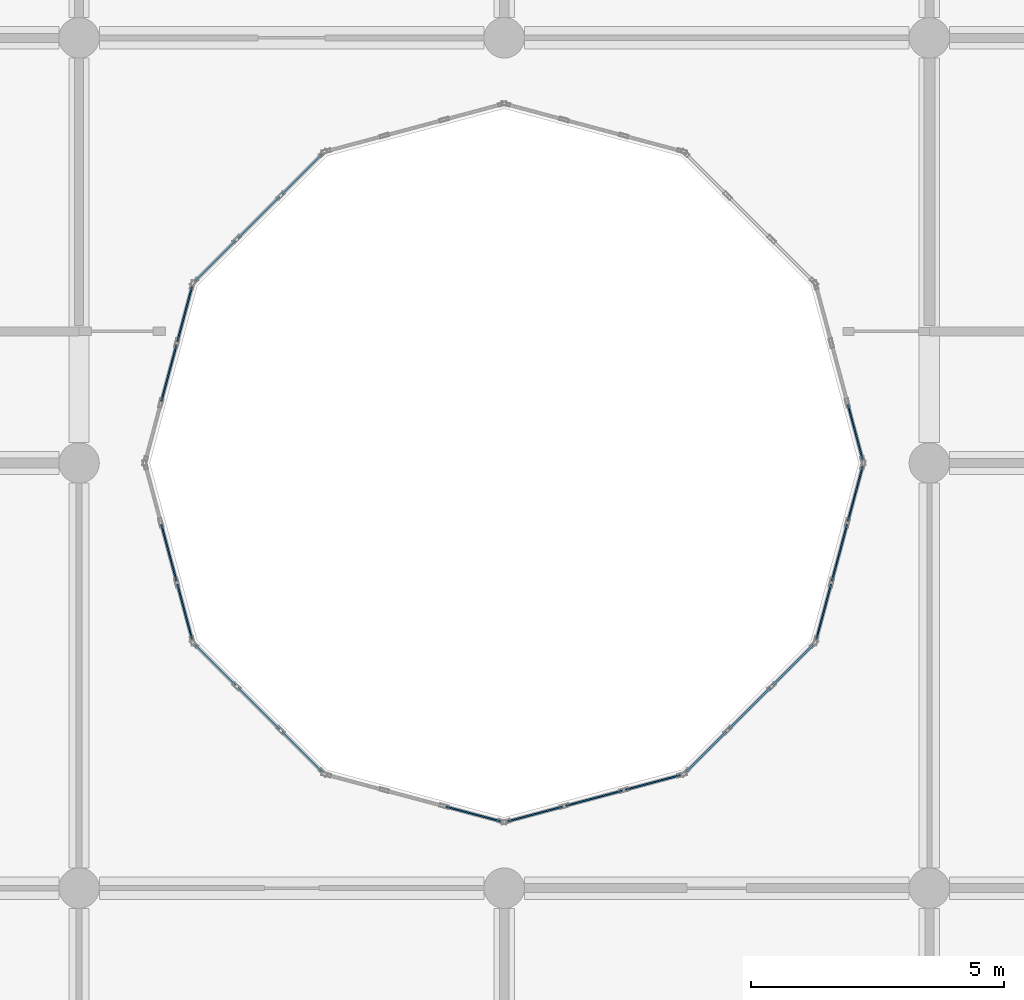
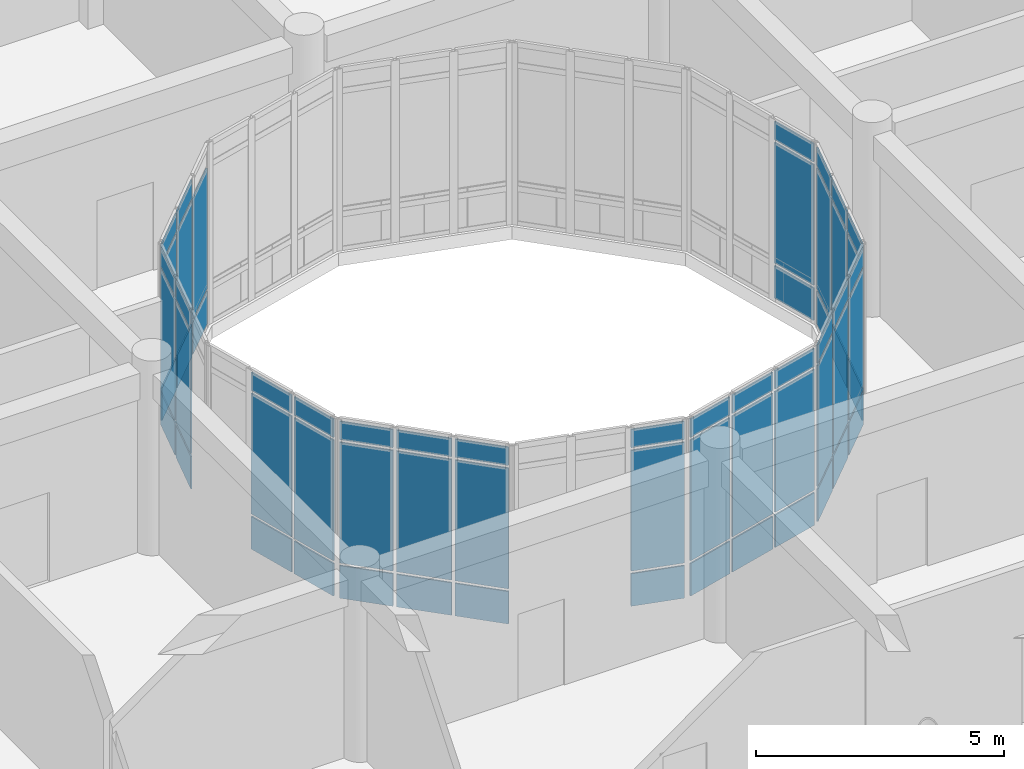
# One storey, part 73 of 138: 62 plates, 9 elements without a shape of their own.
"""IFC4 building model written with IfcOpenShell, lengths in metres."""

import ifcopenshell
import ifcopenshell.guid

model = None  # the IFC model being written
_history = None  # IfcOwnerHistory: only IFC2X3 demands one
_inside = {}  # id of a spatial element -> (the spatial element, [elements in it])
_under = {}  # id of a project, library or spatial element -> (it, [spatial elements below it])
_declared = {}  # id of a project -> (the project, [libraries it declares])
_typed = {}  # id of a type object -> (the type object, [elements of that type])
_made_of = {}  # id of a material, layer set ... -> (it, [elements and type objects made of it])


def new_model(schema):
    """Start an empty IFC model of exactly this schema.

    Asked for "IFC4X3", IfcOpenShell would pick the latest addendum, in which some entities
    have other attributes; the version numbers below select the first issue.
    IFC2X3 requires an IfcOwnerHistory on every rooted entity: one is made here for all.
    """
    global model, _history
    if schema == "IFC4X3":
        model = ifcopenshell.file(schema_version=(4, 3, 0, 0))
    else:
        model = ifcopenshell.file(schema=schema)
    _inside.clear()
    _under.clear()
    _declared.clear()
    _typed.clear()
    _made_of.clear()
    _history = None
    if model.schema == "IFC2X3":
        org = make("IfcOrganization", Name="unknown")
        user = make(
            "IfcPersonAndOrganization",
            ThePerson=make("IfcPerson", FamilyName="unknown"),
            TheOrganization=org,
        )
        app = make(
            "IfcApplication",
            ApplicationDeveloper=org,
            Version="unknown",
            ApplicationFullName="unknown",
            ApplicationIdentifier="unknown",
        )
        _history = make(
            "IfcOwnerHistory",
            OwningUser=user,
            OwningApplication=app,
            ChangeAction="ADDED",
            CreationDate=0,
        )
    return model


def make(cls, **values):
    """One entity of the class cls with the attributes given. An attribute that is None is left unset."""
    return model.create_entity(
        cls, **{name: value for name, value in values.items() if value is not None}
    )


def rooted(cls, **values):
    """An entity with a GlobalId (a new one), such as an element, a storey or a relation."""
    return make(cls, GlobalId=ifcopenshell.guid.new(), OwnerHistory=_history, **values)


def si_unit(unit_type, name, prefix=None):
    """IfcSIUnit, for example si_unit("LENGTHUNIT", "METRE", prefix="MILLI")."""
    return make("IfcSIUnit", UnitType=unit_type, Prefix=prefix, Name=name)


def assignment(units):
    """IfcUnitAssignment: the units of a project."""
    return None if units is None else make("IfcUnitAssignment", Units=units)


def point(xyz):
    """IfcCartesianPoint."""
    return None if xyz is None else make("IfcCartesianPoint", Coordinates=xyz)


def direction(xyz):
    """IfcDirection."""
    return None if xyz is None else make("IfcDirection", DirectionRatios=xyz)


def frame(location, z_axis=None, x_axis=None):
    """IfcAxis2Placement3D, a coordinate frame: its origin and axes. An axis left out is left unset."""
    return make(
        "IfcAxis2Placement3D",
        Location=point(location),
        Axis=direction(z_axis),
        RefDirection=direction(x_axis),
    )


def frame_2d(location, x_axis=None):
    """IfcAxis2Placement2D, a coordinate frame in the plane: its origin and x axis."""
    return make(
        "IfcAxis2Placement2D", Location=point(location), RefDirection=direction(x_axis)
    )


def origin():
    """The frame at (0, 0, 0) with its axes left unset."""
    return frame((0.0, 0.0, 0.0))


def origin_2d():
    """The frame at (0, 0) in the plane with its x axis left unset."""
    return frame_2d((0.0, 0.0))


def place(relative_to, where):
    """IfcLocalPlacement: puts the frame where relative to a parent placement (None: the world)."""
    return make(
        "IfcLocalPlacement", PlacementRelTo=relative_to, RelativePlacement=where
    )


def context(
    kind, dimensions, precision=None, world=None, true_north=None, identifier=None
):
    """IfcGeometricRepresentationContext, for example the 3D "Model" context."""
    return make(
        "IfcGeometricRepresentationContext",
        ContextIdentifier=identifier,
        ContextType=kind,
        CoordinateSpaceDimension=dimensions,
        Precision=precision,
        WorldCoordinateSystem=world,
        TrueNorth=true_north,
    )


def subcontext(parent, identifier, kind, view, scale=None):
    """IfcGeometricRepresentationSubContext, for example "Body" below "Model"."""
    return make(
        "IfcGeometricRepresentationSubContext",
        ContextIdentifier=identifier,
        ContextType=kind,
        ParentContext=parent,
        TargetScale=scale,
        TargetView=view,
    )


def project(units=None, contexts=None):
    """IfcProject with its units and contexts."""
    return rooted(
        "IfcProject",
        Name="project",
        RepresentationContexts=contexts,
        UnitsInContext=assignment(units),
    )


def spatial(cls, under=None, at=None, **own):
    """A site, building, storey or space (cls), placed at a placement, below another one or the project."""
    s = rooted(cls, ObjectPlacement=at, **own)
    if under is not None:
        _under.setdefault(under.id(), (under, []))[1].append(s)
    return s


def profile(cls, at=None, kind="AREA", **sizes):
    """A parametric profile (cls). Its sizes go by their IFC names, for example OverallWidth=200.0."""
    return make(cls, ProfileType=kind, Position=at, **sizes)


def rectangle(**sizes):
    """IfcRectangleProfileDef."""
    return profile("IfcRectangleProfileDef", **sizes)


def extrude(swept, where, along, depth):
    """IfcExtrudedAreaSolid: the profile swept, set in the frame where, extruded along a direction by depth."""
    return make(
        "IfcExtrudedAreaSolid",
        SweptArea=swept,
        Position=where,
        ExtrudedDirection=direction(along),
        Depth=depth,
    )


def shape(context_of_items, identifier, shape_type, items):
    """IfcShapeRepresentation: the items that make up one representation, for example the "Body"."""
    return make(
        "IfcShapeRepresentation",
        ContextOfItems=context_of_items,
        RepresentationIdentifier=identifier,
        RepresentationType=shape_type,
        Items=items,
    )


def material(Name=None, Category=None):
    """IfcMaterial."""
    return make("IfcMaterial", Name=Name, Category=Category)


def layer(
    of_material, thickness, ventilated=None, Name=None, Category=None, Priority=None
):
    """IfcMaterialLayer: one layer of a wall or slab, of a material (None: an air gap)."""
    return make(
        "IfcMaterialLayer",
        Material=of_material,
        LayerThickness=thickness,
        IsVentilated=ventilated,
        Name=Name,
        Category=Category,
        Priority=Priority,
    )


def layer_set(layers, Name=None):
    """IfcMaterialLayerSet."""
    return make("IfcMaterialLayerSet", MaterialLayers=layers, LayerSetName=Name)


def made_of(thing, what):
    """Note that an element or type object is made of a material, layer set ...; save() writes the relation."""
    if what is not None:
        _made_of.setdefault(what.id(), (what, []))[1].append(thing)
    return thing


def type_object(cls, material=None, **own):
    """A type object (cls), such as IfcWallType, which elements share."""
    return made_of(rooted(cls, **own), material)


def element(
    cls,
    number,
    at=None,
    inside=None,
    cuts=None,
    type_object=None,
    material=None,
    context=None,
    identifier="Body",
    shape_type=None,
    held_by="IfcProductDefinitionShape",
    body=None,
    shapes=None,
    **own,
):
    """One element of the class cls, such as IfcWall. Its Tag is "e" and its number.

    at: its placement. inside: the storey or other place that contains it. cuts: it is an
    opening in that element (IfcRelVoidsElement). A single representation is given by context,
    identifier, shape_type and body (its items); several are given by shapes. held_by: the class
    of the entity that holds the representations. save() writes the other relations.
    """
    e = rooted(cls, Tag="e%d" % number, ObjectPlacement=at, **own)
    if body is not None:
        shapes = [shape(context, identifier, shape_type, body)]
    if shapes is not None:
        e.Representation = make(held_by, Representations=shapes)
    if inside is not None:
        _inside.setdefault(inside.id(), (inside, []))[1].append(e)
    if cuts is not None:
        rooted(
            "IfcRelVoidsElement", RelatingBuildingElement=cuts, RelatedOpeningElement=e
        )
    if type_object is not None:
        _typed.setdefault(type_object.id(), (type_object, []))[1].append(e)
    return made_of(e, material)


def aggregate(whole, parts):
    """IfcRelAggregates: a whole, such as a stair, and the parts it consists of."""
    return rooted("IfcRelAggregates", RelatingObject=whole, RelatedObjects=parts)


def save(model, path):
    """Write the relations noted so far, then the file.

    IfcRelAggregates (storeys below a building ...), IfcRelContainedInSpatialStructure (elements
    in a storey), IfcRelDefinesByType, IfcRelAssociatesMaterial and IfcRelDeclares: one each for
    every whole, place, type object, material and project.
    """
    for whole, parts in _under.values():
        aggregate(whole, parts)
    for where, things in _inside.values():
        rooted(
            "IfcRelContainedInSpatialStructure",
            RelatedElements=things,
            RelatingStructure=where,
        )
    for kind, things in _typed.values():
        rooted("IfcRelDefinesByType", RelatedObjects=things, RelatingType=kind)
    for what, things in _made_of.values():
        rooted("IfcRelAssociatesMaterial", RelatedObjects=things, RelatingMaterial=what)
    for by, libraries in _declared.values():
        rooted("IfcRelDeclares", RelatingContext=by, RelatedDefinitions=libraries)
    model.write(path)


model = new_model("IFC4")

# Units and contexts
model_context = context("Model", 3, precision=1e-05, world=origin(), true_north=direction((0.0, 1.0)))
body_context = subcontext(model_context, "Body", "Model", "MODEL_VIEW")
ifc_project = project(units=[si_unit("LENGTHUNIT", "METRE"), si_unit("AREAUNIT", "SQUARE_METRE"), si_unit("VOLUMEUNIT", "CUBIC_METRE"), si_unit("PLANEANGLEUNIT", "RADIAN"), si_unit("MASSUNIT", "GRAM", prefix="KILO")], contexts=[model_context])

# Site, building, storey
site_placement = place(None, origin())
site = spatial("IfcSite", under=ifc_project, at=site_placement, CompositionType="ELEMENT")
building_placement = place(site_placement, origin())
building = spatial("IfcBuilding", under=site, at=building_placement, Name="Bramfleet General Hospital", CompositionType="ELEMENT")
storey_placement = place(building_placement, origin())
storey = spatial("IfcBuildingStorey", under=building, at=storey_placement, Name="L00", CompositionType="ELEMENT", Elevation=0.0)

# Curtain wall, plates
ifc_material_1 = material(Name="Anodised aluminium and low-E triple glazing", Category="aluminium")
ifc_layer_1 = layer(ifc_material_1, 0.179931640625, Name="CWT-CW-17")
ifc_layer_set_1 = layer_set([ifc_layer_1], Name="Anodised aluminium and low-E triple glazing")
curtain_wall_type_1 = type_object("IfcCurtainWallType", Name="CWT-CW-17", PredefinedType="USERDEFINED", material=ifc_layer_set_1)
curtain_wall_1_placement = place(storey_placement, origin())
curtain_wall_1 = element("IfcCurtainWall", 1, at=curtain_wall_1_placement, inside=storey, type_object=curtain_wall_type_1, Name="L00 Central Diagnostic Light Court Curtain Wall 1.1", ObjectType="Stick curtain wall", PredefinedType="USERDEFINED")
ifc_material_2 = material(Name="Low-E laminated safety glass", Category="glass")
ifc_layer_2 = layer(ifc_material_2, 0.031982421875, Name="CWP-GLZ-2")
ifc_layer_set_2 = layer_set([ifc_layer_2], Name="Low-E laminated safety glass")
plate_type = type_object("IfcPlateType", Name="CWP-GLZ-2", PredefinedType="CURTAIN_PANEL", material=ifc_layer_set_2)
plate_1_placement = place(storey_placement, frame((77.37548828125, 73.824951171875, 0.06494140625), z_axis=(0.0, 0.0, 1.0), x_axis=(0.258763286618, -0.965940765005, 0.0)))
plate_1 = element("IfcPlate", 2, at=plate_1_placement, type_object=plate_type, Name="CW-17 panel 2.1", PredefinedType="CURTAIN_PANEL", context=body_context, shape_type="SweptSolid", body=[
    extrude(rectangle(XDim=1.155029296875, YDim=0.031982421875, at=origin_2d()), origin(), (0.0, 0.0, 1.0), 0.802490234375),
])
plate_2_placement = place(storey_placement, frame((77.37548828125, 73.824951171875, 0.932373046875), z_axis=(0.0, 0.0, 1.0), x_axis=(0.258763286618, -0.965940765005, 0.0)))
plate_2 = element("IfcPlate", 3, at=plate_2_placement, type_object=plate_type, Name="CW-17 panel 2.2", PredefinedType="CURTAIN_PANEL", context=body_context, shape_type="SweptSolid", body=[
    extrude(rectangle(XDim=1.155029296875, YDim=0.031982421875, at=origin_2d()), origin(), (0.0, 0.0, 1.0), 2.97509765625),
])
plate_3_placement = place(storey_placement, frame((77.37548828125, 73.824951171875, 3.97265625), z_axis=(0.0, 0.0, 1.0), x_axis=(0.258763286618, -0.965940765005, 0.0)))
plate_3 = element("IfcPlate", 4, at=plate_3_placement, type_object=plate_type, Name="CW-17 panel 2.3", PredefinedType="CURTAIN_PANEL", context=body_context, shape_type="SweptSolid", body=[
    extrude(rectangle(XDim=1.155029296875, YDim=0.031982421875, at=origin_2d()), origin(), (0.0, 0.0, 1.0), 0.452392578125),
])
plate_4_placement = place(storey_placement, frame((77.68798828125, 72.65869140625, 0.06494140625), z_axis=(0.0, 0.0, 1.0), x_axis=(0.258763286618, -0.965940765005, 0.0)))
plate_4 = element("IfcPlate", 5, at=plate_4_placement, type_object=plate_type, Name="CW-17 panel 3.1", PredefinedType="CURTAIN_PANEL", context=body_context, shape_type="SweptSolid", body=[
    extrude(rectangle(XDim=1.1201171875, YDim=0.031982421875, at=origin_2d()), origin(), (0.0, 0.0, 1.0), 0.802490234375),
])
plate_5_placement = place(storey_placement, frame((77.68798828125, 72.65869140625, 0.932373046875), z_axis=(0.0, 0.0, 1.0), x_axis=(0.258763286618, -0.965940765005, 0.0)))
plate_5 = element("IfcPlate", 6, at=plate_5_placement, type_object=plate_type, Name="CW-17 panel 3.2", PredefinedType="CURTAIN_PANEL", context=body_context, shape_type="SweptSolid", body=[
    extrude(rectangle(XDim=1.1201171875, YDim=0.031982421875, at=origin_2d()), origin(), (0.0, 0.0, 1.0), 2.97509765625),
])
plate_6_placement = place(storey_placement, frame((77.68798828125, 72.65869140625, 3.97265625), z_axis=(0.0, 0.0, 1.0), x_axis=(0.258763286618, -0.965940765005, 0.0)))
plate_6 = element("IfcPlate", 7, at=plate_6_placement, type_object=plate_type, Name="CW-17 panel 3.3", PredefinedType="CURTAIN_PANEL", context=body_context, shape_type="SweptSolid", body=[
    extrude(rectangle(XDim=1.1201171875, YDim=0.031982421875, at=origin_2d()), origin(), (0.0, 0.0, 1.0), 0.452392578125),
])
aggregate(curtain_wall_1, [plate_1, plate_2, plate_3, plate_4, plate_5, plate_6])

ifc_layer_3 = layer(ifc_material_1, 0.179931640625, Name="CWT-CW-18")
ifc_layer_set_3 = layer_set([ifc_layer_3], Name="Anodised aluminium and low-E triple glazing")
curtain_wall_type_2 = type_object("IfcCurtainWallType", Name="CWT-CW-18", PredefinedType="USERDEFINED", material=ifc_layer_set_3)
curtain_wall_2_placement = place(storey_placement, origin())
curtain_wall_2 = element("IfcCurtainWall", 8, at=curtain_wall_2_placement, inside=storey, type_object=curtain_wall_type_2, Name="L00 Central Diagnostic Light Court Curtain Wall 2.1", ObjectType="Stick curtain wall", PredefinedType="USERDEFINED")
plate_7_placement = place(storey_placement, frame((78.296630859375, 71.6044921875, 0.06494140625), z_axis=(0.0, 0.0, 1.0), x_axis=(0.707106781187, -0.707106781187, 0.0)))
plate_7 = element("IfcPlate", 9, at=plate_7_placement, type_object=plate_type, Name="CW-18 panel 1.1", PredefinedType="CURTAIN_PANEL", context=body_context, shape_type="SweptSolid", body=[
    extrude(rectangle(XDim=1.1201171875, YDim=0.031982421875, at=origin_2d()), origin(), (0.0, 0.0, 1.0), 0.802490234375),
])
plate_8_placement = place(storey_placement, frame((78.296630859375, 71.6044921875, 0.932373046875), z_axis=(0.0, 0.0, 1.0), x_axis=(0.707106781187, -0.707106781187, 0.0)))
plate_8 = element("IfcPlate", 10, at=plate_8_placement, type_object=plate_type, Name="CW-18 panel 1.2", PredefinedType="CURTAIN_PANEL", context=body_context, shape_type="SweptSolid", body=[
    extrude(rectangle(XDim=1.1201171875, YDim=0.031982421875, at=origin_2d()), origin(), (0.0, 0.0, 1.0), 2.97509765625),
])
plate_9_placement = place(storey_placement, frame((78.296630859375, 71.6044921875, 3.97265625), z_axis=(0.0, 0.0, 1.0), x_axis=(0.707106781187, -0.707106781187, 0.0)))
plate_9 = element("IfcPlate", 11, at=plate_9_placement, type_object=plate_type, Name="CW-18 panel 1.3", PredefinedType="CURTAIN_PANEL", context=body_context, shape_type="SweptSolid", body=[
    extrude(rectangle(XDim=1.1201171875, YDim=0.031982421875, at=origin_2d()), origin(), (0.0, 0.0, 1.0), 0.452392578125),
])
plate_10_placement = place(storey_placement, frame((79.150390625, 70.75048828125, 0.06494140625), z_axis=(0.0, 0.0, 1.0), x_axis=(0.707106781187, -0.707106781187, 0.0)))
plate_10 = element("IfcPlate", 12, at=plate_10_placement, type_object=plate_type, Name="CW-18 panel 2.1", PredefinedType="CURTAIN_PANEL", context=body_context, shape_type="SweptSolid", body=[
    extrude(rectangle(XDim=1.1552734375, YDim=0.031982421875, at=origin_2d()), origin(), (0.0, 0.0, 1.0), 0.802490234375),
])
plate_11_placement = place(storey_placement, frame((79.150390625, 70.75048828125, 0.932373046875), z_axis=(0.0, 0.0, 1.0), x_axis=(0.707106781187, -0.707106781187, 0.0)))
plate_11 = element("IfcPlate", 13, at=plate_11_placement, type_object=plate_type, Name="CW-18 panel 2.2", PredefinedType="CURTAIN_PANEL", context=body_context, shape_type="SweptSolid", body=[
    extrude(rectangle(XDim=1.1552734375, YDim=0.031982421875, at=origin_2d()), origin(), (0.0, 0.0, 1.0), 2.97509765625),
])
plate_12_placement = place(storey_placement, frame((79.150390625, 70.75048828125, 3.97265625), z_axis=(0.0, 0.0, 1.0), x_axis=(0.707106781187, -0.707106781187, 0.0)))
plate_12 = element("IfcPlate", 14, at=plate_12_placement, type_object=plate_type, Name="CW-18 panel 2.3", PredefinedType="CURTAIN_PANEL", context=body_context, shape_type="SweptSolid", body=[
    extrude(rectangle(XDim=1.1552734375, YDim=0.031982421875, at=origin_2d()), origin(), (0.0, 0.0, 1.0), 0.452392578125),
])
plate_13_placement = place(storey_placement, frame((80.00439453125, 69.896484375, 0.06494140625), z_axis=(0.0, 0.0, 1.0), x_axis=(0.707106781187, -0.707106781187, 0.0)))
plate_13 = element("IfcPlate", 15, at=plate_13_placement, type_object=plate_type, Name="CW-18 panel 3.1", PredefinedType="CURTAIN_PANEL", context=body_context, shape_type="SweptSolid", body=[
    extrude(rectangle(XDim=1.1201171875, YDim=0.031982421875, at=origin_2d()), origin(), (0.0, 0.0, 1.0), 0.802490234375),
])
plate_14_placement = place(storey_placement, frame((80.00439453125, 69.896484375, 0.932373046875), z_axis=(0.0, 0.0, 1.0), x_axis=(0.707106781187, -0.707106781187, 0.0)))
plate_14 = element("IfcPlate", 16, at=plate_14_placement, type_object=plate_type, Name="CW-18 panel 3.2", PredefinedType="CURTAIN_PANEL", context=body_context, shape_type="SweptSolid", body=[
    extrude(rectangle(XDim=1.1201171875, YDim=0.031982421875, at=origin_2d()), origin(), (0.0, 0.0, 1.0), 2.97509765625),
])
plate_15_placement = place(storey_placement, frame((80.00439453125, 69.896484375, 3.97265625), z_axis=(0.0, 0.0, 1.0), x_axis=(0.707106781187, -0.707106781187, 0.0)))
plate_15 = element("IfcPlate", 17, at=plate_15_placement, type_object=plate_type, Name="CW-18 panel 3.3", PredefinedType="CURTAIN_PANEL", context=body_context, shape_type="SweptSolid", body=[
    extrude(rectangle(XDim=1.1201171875, YDim=0.031982421875, at=origin_2d()), origin(), (0.0, 0.0, 1.0), 0.452392578125),
])
aggregate(curtain_wall_2, [plate_7, plate_8, plate_9, plate_10, plate_11, plate_12, plate_13, plate_14, plate_15])

ifc_layer_4 = layer(ifc_material_1, 0.179931640625, Name="CWT-CW-11")
ifc_layer_set_4 = layer_set([ifc_layer_4], Name="Anodised aluminium and low-E triple glazing")
curtain_wall_type_3 = type_object("IfcCurtainWallType", Name="CWT-CW-11", PredefinedType="USERDEFINED", material=ifc_layer_set_4)
curtain_wall_3_placement = place(storey_placement, origin())
curtain_wall_3 = element("IfcCurtainWall", 18, at=curtain_wall_3_placement, inside=storey, type_object=curtain_wall_type_3, Name="L00 Central Diagnostic Light Court Curtain Wall 3.1", ObjectType="Stick curtain wall", PredefinedType="USERDEFINED")
plate_16_placement = place(storey_placement, frame((83.391357421875, 68.6630859375, 0.06494140625), z_axis=(0.0, 0.0, 1.0), x_axis=(0.965940765005, -0.258763286618, 0.0)))
plate_16 = element("IfcPlate", 19, at=plate_16_placement, type_object=plate_type, Name="CW-11 panel 3.1", PredefinedType="CURTAIN_PANEL", context=body_context, shape_type="SweptSolid", body=[
    extrude(rectangle(XDim=1.1201171875, YDim=0.031982421875, at=origin_2d()), origin(), (0.0, 0.0, 1.0), 0.802490234375),
])
plate_17_placement = place(storey_placement, frame((83.391357421875, 68.6630859375, 0.932373046875), z_axis=(0.0, 0.0, 1.0), x_axis=(0.965940765005, -0.258763286618, 0.0)))
plate_17 = element("IfcPlate", 20, at=plate_17_placement, type_object=plate_type, Name="CW-11 panel 3.2", PredefinedType="CURTAIN_PANEL", context=body_context, shape_type="SweptSolid", body=[
    extrude(rectangle(XDim=1.1201171875, YDim=0.031982421875, at=origin_2d()), origin(), (0.0, 0.0, 1.0), 2.97509765625),
])
plate_18_placement = place(storey_placement, frame((83.391357421875, 68.6630859375, 3.97265625), z_axis=(0.0, 0.0, 1.0), x_axis=(0.965940765005, -0.258763286618, 0.0)))
plate_18 = element("IfcPlate", 21, at=plate_18_placement, type_object=plate_type, Name="CW-11 panel 3.3", PredefinedType="CURTAIN_PANEL", context=body_context, shape_type="SweptSolid", body=[
    extrude(rectangle(XDim=1.1201171875, YDim=0.031982421875, at=origin_2d()), origin(), (0.0, 0.0, 1.0), 0.452392578125),
])
aggregate(curtain_wall_3, [plate_16, plate_17, plate_18])

ifc_layer_5 = layer(ifc_material_1, 0.179931640625, Name="CWT-CW-12")
ifc_layer_set_5 = layer_set([ifc_layer_5], Name="Anodised aluminium and low-E triple glazing")
curtain_wall_type_4 = type_object("IfcCurtainWallType", Name="CWT-CW-12", PredefinedType="USERDEFINED", material=ifc_layer_set_5)
curtain_wall_4_placement = place(storey_placement, origin())
curtain_wall_4 = element("IfcCurtainWall", 22, at=curtain_wall_4_placement, inside=storey, type_object=curtain_wall_type_4, Name="L00 Central Diagnostic Light Court Curtain Wall 4.1", ObjectType="Stick curtain wall", PredefinedType="USERDEFINED")
plate_19_placement = place(storey_placement, frame((84.608642578125, 68.6630859375, 0.06494140625), z_axis=(0.0, 0.0, 1.0), x_axis=(0.965940765005, 0.258763286618, 0.0)))
plate_19 = element("IfcPlate", 23, at=plate_19_placement, type_object=plate_type, Name="CW-12 panel 1.1", PredefinedType="CURTAIN_PANEL", context=body_context, shape_type="SweptSolid", body=[
    extrude(rectangle(XDim=1.1201171875, YDim=0.031982421875, at=origin_2d()), origin(), (0.0, 0.0, 1.0), 0.802490234375),
])
plate_20_placement = place(storey_placement, frame((84.608642578125, 68.6630859375, 0.932373046875), z_axis=(0.0, 0.0, 1.0), x_axis=(0.965940765005, 0.258763286618, 0.0)))
plate_20 = element("IfcPlate", 24, at=plate_20_placement, type_object=plate_type, Name="CW-12 panel 1.2", PredefinedType="CURTAIN_PANEL", context=body_context, shape_type="SweptSolid", body=[
    extrude(rectangle(XDim=1.1201171875, YDim=0.031982421875, at=origin_2d()), origin(), (0.0, 0.0, 1.0), 2.97509765625),
])
plate_21_placement = place(storey_placement, frame((84.608642578125, 68.6630859375, 3.97265625), z_axis=(0.0, 0.0, 1.0), x_axis=(0.965940765005, 0.258763286618, 0.0)))
plate_21 = element("IfcPlate", 25, at=plate_21_placement, type_object=plate_type, Name="CW-12 panel 1.3", PredefinedType="CURTAIN_PANEL", context=body_context, shape_type="SweptSolid", body=[
    extrude(rectangle(XDim=1.1201171875, YDim=0.031982421875, at=origin_2d()), origin(), (0.0, 0.0, 1.0), 0.452392578125),
])
plate_22_placement = place(storey_placement, frame((85.77490234375, 68.9755859375, 0.06494140625), z_axis=(0.0, 0.0, 1.0), x_axis=(0.965940765005, 0.258763286618, 0.0)))
plate_22 = element("IfcPlate", 26, at=plate_22_placement, type_object=plate_type, Name="CW-12 panel 2.1", PredefinedType="CURTAIN_PANEL", context=body_context, shape_type="SweptSolid", body=[
    extrude(rectangle(XDim=1.155029296875, YDim=0.031982421875, at=origin_2d()), origin(), (0.0, 0.0, 1.0), 0.802490234375),
])
plate_23_placement = place(storey_placement, frame((85.77490234375, 68.9755859375, 0.932373046875), z_axis=(0.0, 0.0, 1.0), x_axis=(0.965940765005, 0.258763286618, 0.0)))
plate_23 = element("IfcPlate", 27, at=plate_23_placement, type_object=plate_type, Name="CW-12 panel 2.2", PredefinedType="CURTAIN_PANEL", context=body_context, shape_type="SweptSolid", body=[
    extrude(rectangle(XDim=1.155029296875, YDim=0.031982421875, at=origin_2d()), origin(), (0.0, 0.0, 1.0), 2.97509765625),
])
plate_24_placement = place(storey_placement, frame((85.77490234375, 68.9755859375, 3.97265625), z_axis=(0.0, 0.0, 1.0), x_axis=(0.965940765005, 0.258763286618, 0.0)))
plate_24 = element("IfcPlate", 28, at=plate_24_placement, type_object=plate_type, Name="CW-12 panel 2.3", PredefinedType="CURTAIN_PANEL", context=body_context, shape_type="SweptSolid", body=[
    extrude(rectangle(XDim=1.155029296875, YDim=0.031982421875, at=origin_2d()), origin(), (0.0, 0.0, 1.0), 0.452392578125),
])
plate_25_placement = place(storey_placement, frame((86.94140625, 69.2880859375, 0.06494140625), z_axis=(0.0, 0.0, 1.0), x_axis=(0.965940765005, 0.258763286618, 0.0)))
plate_25 = element("IfcPlate", 29, at=plate_25_placement, type_object=plate_type, Name="CW-12 panel 3.1", PredefinedType="CURTAIN_PANEL", context=body_context, shape_type="SweptSolid", body=[
    extrude(rectangle(XDim=1.1201171875, YDim=0.031982421875, at=origin_2d()), origin(), (0.0, 0.0, 1.0), 0.802490234375),
])
plate_26_placement = place(storey_placement, frame((86.94140625, 69.2880859375, 0.932373046875), z_axis=(0.0, 0.0, 1.0), x_axis=(0.965940765005, 0.258763286618, 0.0)))
plate_26 = element("IfcPlate", 30, at=plate_26_placement, type_object=plate_type, Name="CW-12 panel 3.2", PredefinedType="CURTAIN_PANEL", context=body_context, shape_type="SweptSolid", body=[
    extrude(rectangle(XDim=1.1201171875, YDim=0.031982421875, at=origin_2d()), origin(), (0.0, 0.0, 1.0), 2.97509765625),
])
plate_27_placement = place(storey_placement, frame((86.94140625, 69.2880859375, 3.97265625), z_axis=(0.0, 0.0, 1.0), x_axis=(0.965940765005, 0.258763286618, 0.0)))
plate_27 = element("IfcPlate", 31, at=plate_27_placement, type_object=plate_type, Name="CW-12 panel 3.3", PredefinedType="CURTAIN_PANEL", context=body_context, shape_type="SweptSolid", body=[
    extrude(rectangle(XDim=1.1201171875, YDim=0.031982421875, at=origin_2d()), origin(), (0.0, 0.0, 1.0), 0.452392578125),
])
aggregate(curtain_wall_4, [plate_19, plate_20, plate_21, plate_22, plate_23, plate_24, plate_25, plate_26, plate_27])

ifc_layer_6 = layer(ifc_material_1, 0.179931640625, Name="CWT-CW-13")
ifc_layer_set_6 = layer_set([ifc_layer_6], Name="Anodised aluminium and low-E triple glazing")
curtain_wall_type_5 = type_object("IfcCurtainWallType", Name="CWT-CW-13", PredefinedType="USERDEFINED", material=ifc_layer_set_6)
curtain_wall_5_placement = place(storey_placement, origin())
curtain_wall_5 = element("IfcCurtainWall", 32, at=curtain_wall_5_placement, inside=storey, type_object=curtain_wall_type_5, Name="L00 Central Diagnostic Light Court Curtain Wall 5.1", ObjectType="Stick curtain wall", PredefinedType="USERDEFINED")
plate_28_placement = place(storey_placement, frame((87.99560546875, 69.896484375, 0.06494140625), z_axis=(0.0, 0.0, 1.0), x_axis=(0.707106781187, 0.707106781187, 0.0)))
plate_28 = element("IfcPlate", 33, at=plate_28_placement, type_object=plate_type, Name="CW-13 panel 1.1", PredefinedType="CURTAIN_PANEL", context=body_context, shape_type="SweptSolid", body=[
    extrude(rectangle(XDim=1.1201171875, YDim=0.031982421875, at=origin_2d()), origin(), (0.0, 0.0, 1.0), 0.802490234375),
])
plate_29_placement = place(storey_placement, frame((87.99560546875, 69.896484375, 0.932373046875), z_axis=(0.0, 0.0, 1.0), x_axis=(0.707106781187, 0.707106781187, 0.0)))
plate_29 = element("IfcPlate", 34, at=plate_29_placement, type_object=plate_type, Name="CW-13 panel 1.2", PredefinedType="CURTAIN_PANEL", context=body_context, shape_type="SweptSolid", body=[
    extrude(rectangle(XDim=1.1201171875, YDim=0.031982421875, at=origin_2d()), origin(), (0.0, 0.0, 1.0), 2.97509765625),
])
plate_30_placement = place(storey_placement, frame((87.99560546875, 69.896484375, 3.97265625), z_axis=(0.0, 0.0, 1.0), x_axis=(0.707106781187, 0.707106781187, 0.0)))
plate_30 = element("IfcPlate", 35, at=plate_30_placement, type_object=plate_type, Name="CW-13 panel 1.3", PredefinedType="CURTAIN_PANEL", context=body_context, shape_type="SweptSolid", body=[
    extrude(rectangle(XDim=1.1201171875, YDim=0.031982421875, at=origin_2d()), origin(), (0.0, 0.0, 1.0), 0.452392578125),
])
plate_31_placement = place(storey_placement, frame((88.849609375, 70.75048828125, 0.06494140625), z_axis=(0.0, 0.0, 1.0), x_axis=(0.707106781187, 0.707106781187, 0.0)))
plate_31 = element("IfcPlate", 36, at=plate_31_placement, type_object=plate_type, Name="CW-13 panel 2.1", PredefinedType="CURTAIN_PANEL", context=body_context, shape_type="SweptSolid", body=[
    extrude(rectangle(XDim=1.1552734375, YDim=0.031982421875, at=origin_2d()), origin(), (0.0, 0.0, 1.0), 0.802490234375),
])
plate_32_placement = place(storey_placement, frame((88.849609375, 70.75048828125, 0.932373046875), z_axis=(0.0, 0.0, 1.0), x_axis=(0.707106781187, 0.707106781187, 0.0)))
plate_32 = element("IfcPlate", 37, at=plate_32_placement, type_object=plate_type, Name="CW-13 panel 2.2", PredefinedType="CURTAIN_PANEL", context=body_context, shape_type="SweptSolid", body=[
    extrude(rectangle(XDim=1.1552734375, YDim=0.031982421875, at=origin_2d()), origin(), (0.0, 0.0, 1.0), 2.97509765625),
])
plate_33_placement = place(storey_placement, frame((88.849609375, 70.75048828125, 3.97265625), z_axis=(0.0, 0.0, 1.0), x_axis=(0.707106781187, 0.707106781187, 0.0)))
plate_33 = element("IfcPlate", 38, at=plate_33_placement, type_object=plate_type, Name="CW-13 panel 2.3", PredefinedType="CURTAIN_PANEL", context=body_context, shape_type="SweptSolid", body=[
    extrude(rectangle(XDim=1.1552734375, YDim=0.031982421875, at=origin_2d()), origin(), (0.0, 0.0, 1.0), 0.452392578125),
])
plate_34_placement = place(storey_placement, frame((89.703369140625, 71.6044921875, 0.06494140625), z_axis=(0.0, 0.0, 1.0), x_axis=(0.707106781187, 0.707106781187, 0.0)))
plate_34 = element("IfcPlate", 39, at=plate_34_placement, type_object=plate_type, Name="CW-13 panel 3.1", PredefinedType="CURTAIN_PANEL", context=body_context, shape_type="SweptSolid", body=[
    extrude(rectangle(XDim=1.1201171875, YDim=0.031982421875, at=origin_2d()), origin(), (0.0, 0.0, 1.0), 0.802490234375),
])
plate_35_placement = place(storey_placement, frame((89.703369140625, 71.6044921875, 0.932373046875), z_axis=(0.0, 0.0, 1.0), x_axis=(0.707106781187, 0.707106781187, 0.0)))
plate_35 = element("IfcPlate", 40, at=plate_35_placement, type_object=plate_type, Name="CW-13 panel 3.2", PredefinedType="CURTAIN_PANEL", context=body_context, shape_type="SweptSolid", body=[
    extrude(rectangle(XDim=1.1201171875, YDim=0.031982421875, at=origin_2d()), origin(), (0.0, 0.0, 1.0), 2.97509765625),
])
plate_36_placement = place(storey_placement, frame((89.703369140625, 71.6044921875, 3.97265625), z_axis=(0.0, 0.0, 1.0), x_axis=(0.707106781187, 0.707106781187, 0.0)))
plate_36 = element("IfcPlate", 41, at=plate_36_placement, type_object=plate_type, Name="CW-13 panel 3.3", PredefinedType="CURTAIN_PANEL", context=body_context, shape_type="SweptSolid", body=[
    extrude(rectangle(XDim=1.1201171875, YDim=0.031982421875, at=origin_2d()), origin(), (0.0, 0.0, 1.0), 0.452392578125),
])
aggregate(curtain_wall_5, [plate_28, plate_29, plate_30, plate_31, plate_32, plate_33, plate_34, plate_35, plate_36])

ifc_layer_7 = layer(ifc_material_1, 0.179931640625, Name="CWT-CW-14")
ifc_layer_set_7 = layer_set([ifc_layer_7], Name="Anodised aluminium and low-E triple glazing")
curtain_wall_type_6 = type_object("IfcCurtainWallType", Name="CWT-CW-14", PredefinedType="USERDEFINED", material=ifc_layer_set_7)
curtain_wall_6_placement = place(storey_placement, origin())
curtain_wall_6 = element("IfcCurtainWall", 42, at=curtain_wall_6_placement, inside=storey, type_object=curtain_wall_type_6, Name="L00 Central Diagnostic Light Court Curtain Wall 6.1", ObjectType="Stick curtain wall", PredefinedType="USERDEFINED")
plate_37_placement = place(storey_placement, frame((90.31201171875, 72.65869140625, 0.06494140625), z_axis=(0.0, 0.0, 1.0), x_axis=(0.258763286618, 0.965940765005, 0.0)))
plate_37 = element("IfcPlate", 43, at=plate_37_placement, type_object=plate_type, Name="CW-14 panel 1.1", PredefinedType="CURTAIN_PANEL", context=body_context, shape_type="SweptSolid", body=[
    extrude(rectangle(XDim=1.1201171875, YDim=0.031982421875, at=origin_2d()), origin(), (0.0, 0.0, 1.0), 0.802490234375),
])
plate_38_placement = place(storey_placement, frame((90.31201171875, 72.65869140625, 0.932373046875), z_axis=(0.0, 0.0, 1.0), x_axis=(0.258763286618, 0.965940765005, 0.0)))
plate_38 = element("IfcPlate", 44, at=plate_38_placement, type_object=plate_type, Name="CW-14 panel 1.2", PredefinedType="CURTAIN_PANEL", context=body_context, shape_type="SweptSolid", body=[
    extrude(rectangle(XDim=1.1201171875, YDim=0.031982421875, at=origin_2d()), origin(), (0.0, 0.0, 1.0), 2.97509765625),
])
plate_39_placement = place(storey_placement, frame((90.31201171875, 72.65869140625, 3.97265625), z_axis=(0.0, 0.0, 1.0), x_axis=(0.258763286618, 0.965940765005, 0.0)))
plate_39 = element("IfcPlate", 45, at=plate_39_placement, type_object=plate_type, Name="CW-14 panel 1.3", PredefinedType="CURTAIN_PANEL", context=body_context, shape_type="SweptSolid", body=[
    extrude(rectangle(XDim=1.1201171875, YDim=0.031982421875, at=origin_2d()), origin(), (0.0, 0.0, 1.0), 0.452392578125),
])
plate_40_placement = place(storey_placement, frame((90.62451171875, 73.824951171875, 0.06494140625), z_axis=(0.0, 0.0, 1.0), x_axis=(0.258763286618, 0.965940765005, 0.0)))
plate_40 = element("IfcPlate", 46, at=plate_40_placement, type_object=plate_type, Name="CW-14 panel 2.1", PredefinedType="CURTAIN_PANEL", context=body_context, shape_type="SweptSolid", body=[
    extrude(rectangle(XDim=1.155029296875, YDim=0.031982421875, at=origin_2d()), origin(), (0.0, 0.0, 1.0), 0.802490234375),
])
plate_41_placement = place(storey_placement, frame((90.62451171875, 73.824951171875, 0.932373046875), z_axis=(0.0, 0.0, 1.0), x_axis=(0.258763286618, 0.965940765005, 0.0)))
plate_41 = element("IfcPlate", 47, at=plate_41_placement, type_object=plate_type, Name="CW-14 panel 2.2", PredefinedType="CURTAIN_PANEL", context=body_context, shape_type="SweptSolid", body=[
    extrude(rectangle(XDim=1.155029296875, YDim=0.031982421875, at=origin_2d()), origin(), (0.0, 0.0, 1.0), 2.97509765625),
])
plate_42_placement = place(storey_placement, frame((90.62451171875, 73.824951171875, 3.97265625), z_axis=(0.0, 0.0, 1.0), x_axis=(0.258763286618, 0.965940765005, 0.0)))
plate_42 = element("IfcPlate", 48, at=plate_42_placement, type_object=plate_type, Name="CW-14 panel 2.3", PredefinedType="CURTAIN_PANEL", context=body_context, shape_type="SweptSolid", body=[
    extrude(rectangle(XDim=1.155029296875, YDim=0.031982421875, at=origin_2d()), origin(), (0.0, 0.0, 1.0), 0.452392578125),
])
plate_43_placement = place(storey_placement, frame((90.93701171875, 74.991455078125, 0.06494140625), z_axis=(0.0, 0.0, 1.0), x_axis=(0.258763286618, 0.965940765005, 0.0)))
plate_43 = element("IfcPlate", 49, at=plate_43_placement, type_object=plate_type, Name="CW-14 panel 3.1", PredefinedType="CURTAIN_PANEL", context=body_context, shape_type="SweptSolid", body=[
    extrude(rectangle(XDim=1.1201171875, YDim=0.031982421875, at=origin_2d()), origin(), (0.0, 0.0, 1.0), 0.802490234375),
])
plate_44_placement = place(storey_placement, frame((90.93701171875, 74.991455078125, 0.932373046875), z_axis=(0.0, 0.0, 1.0), x_axis=(0.258763286618, 0.965940765005, 0.0)))
plate_44 = element("IfcPlate", 50, at=plate_44_placement, type_object=plate_type, Name="CW-14 panel 3.2", PredefinedType="CURTAIN_PANEL", context=body_context, shape_type="SweptSolid", body=[
    extrude(rectangle(XDim=1.1201171875, YDim=0.031982421875, at=origin_2d()), origin(), (0.0, 0.0, 1.0), 2.97509765625),
])
plate_45_placement = place(storey_placement, frame((90.93701171875, 74.991455078125, 3.97265625), z_axis=(0.0, 0.0, 1.0), x_axis=(0.258763286618, 0.965940765005, 0.0)))
plate_45 = element("IfcPlate", 51, at=plate_45_placement, type_object=plate_type, Name="CW-14 panel 3.3", PredefinedType="CURTAIN_PANEL", context=body_context, shape_type="SweptSolid", body=[
    extrude(rectangle(XDim=1.1201171875, YDim=0.031982421875, at=origin_2d()), origin(), (0.0, 0.0, 1.0), 0.452392578125),
])
aggregate(curtain_wall_6, [plate_37, plate_38, plate_39, plate_40, plate_41, plate_42, plate_43, plate_44, plate_45])

ifc_layer_8 = layer(ifc_material_1, 0.179931640625, Name="CWT-CW-15")
ifc_layer_set_8 = layer_set([ifc_layer_8], Name="Anodised aluminium and low-E triple glazing")
curtain_wall_type_7 = type_object("IfcCurtainWallType", Name="CWT-CW-15", PredefinedType="USERDEFINED", material=ifc_layer_set_8)
curtain_wall_7_placement = place(storey_placement, origin())
curtain_wall_7 = element("IfcCurtainWall", 52, at=curtain_wall_7_placement, inside=storey, type_object=curtain_wall_type_7, Name="L00 Central Diagnostic Light Court Curtain Wall 7.1", ObjectType="Stick curtain wall", PredefinedType="USERDEFINED")
plate_46_placement = place(storey_placement, frame((90.93701171875, 76.20849609375, 0.06494140625), z_axis=(0.0, 0.0, 1.0), x_axis=(-0.258763286618, 0.965940765005, 0.0)))
plate_46 = element("IfcPlate", 53, at=plate_46_placement, type_object=plate_type, Name="CW-15 panel 1.1", PredefinedType="CURTAIN_PANEL", context=body_context, shape_type="SweptSolid", body=[
    extrude(rectangle(XDim=1.1201171875, YDim=0.031982421875, at=origin_2d()), origin(), (0.0, 0.0, 1.0), 0.802490234375),
])
plate_47_placement = place(storey_placement, frame((90.93701171875, 76.20849609375, 0.932373046875), z_axis=(0.0, 0.0, 1.0), x_axis=(-0.258763286618, 0.965940765005, 0.0)))
plate_47 = element("IfcPlate", 54, at=plate_47_placement, type_object=plate_type, Name="CW-15 panel 1.2", PredefinedType="CURTAIN_PANEL", context=body_context, shape_type="SweptSolid", body=[
    extrude(rectangle(XDim=1.1201171875, YDim=0.031982421875, at=origin_2d()), origin(), (0.0, 0.0, 1.0), 2.97509765625),
])
plate_48_placement = place(storey_placement, frame((90.93701171875, 76.20849609375, 3.97265625), z_axis=(0.0, 0.0, 1.0), x_axis=(-0.258763286618, 0.965940765005, 0.0)))
plate_48 = element("IfcPlate", 55, at=plate_48_placement, type_object=plate_type, Name="CW-15 panel 1.3", PredefinedType="CURTAIN_PANEL", context=body_context, shape_type="SweptSolid", body=[
    extrude(rectangle(XDim=1.1201171875, YDim=0.031982421875, at=origin_2d()), origin(), (0.0, 0.0, 1.0), 0.452392578125),
])
aggregate(curtain_wall_7, [plate_46, plate_47, plate_48])

curtain_wall_8_placement = place(storey_placement, origin())
curtain_wall_8 = element("IfcCurtainWall", 56, at=curtain_wall_8_placement, inside=storey, type_object=curtain_wall_type_3, Name="L00 Central Diagnostic Light Court Curtain Wall 11.1", ObjectType="Stick curtain wall", PredefinedType="USERDEFINED")
plate_49_placement = place(storey_placement, frame((80.00439453125, 81.303466796875, 0.06494140625), z_axis=(0.0, 0.0, 1.0), x_axis=(-0.707106781187, -0.707106781187, 0.0)))
plate_49 = element("IfcPlate", 57, at=plate_49_placement, type_object=plate_type, Name="CW-11 panel 1.1", PredefinedType="CURTAIN_PANEL", context=body_context, shape_type="SweptSolid", body=[
    extrude(rectangle(XDim=1.1201171875, YDim=0.031982421875, at=origin_2d()), origin(), (0.0, 0.0, 1.0), 0.802490234375),
])
plate_50_placement = place(storey_placement, frame((80.00439453125, 81.303466796875, 0.932373046875), z_axis=(0.0, 0.0, 1.0), x_axis=(-0.707106781187, -0.707106781187, 0.0)))
plate_50 = element("IfcPlate", 58, at=plate_50_placement, type_object=plate_type, Name="CW-11 panel 1.2", PredefinedType="CURTAIN_PANEL", context=body_context, shape_type="SweptSolid", body=[
    extrude(rectangle(XDim=1.1201171875, YDim=0.031982421875, at=origin_2d()), origin(), (0.0, 0.0, 1.0), 2.97509765625),
])
plate_51_placement = place(storey_placement, frame((79.150390625, 80.449462890625, 0.06494140625), z_axis=(0.0, 0.0, 1.0), x_axis=(-0.707106781187, -0.707106781187, 0.0)))
plate_51 = element("IfcPlate", 59, at=plate_51_placement, type_object=plate_type, Name="CW-11 panel 2.1", PredefinedType="CURTAIN_PANEL", context=body_context, shape_type="SweptSolid", body=[
    extrude(rectangle(XDim=1.1552734375, YDim=0.031982421875, at=origin_2d()), origin(), (0.0, 0.0, 1.0), 0.802490234375),
])
plate_52_placement = place(storey_placement, frame((79.150390625, 80.449462890625, 0.932373046875), z_axis=(0.0, 0.0, 1.0), x_axis=(-0.707106781187, -0.707106781187, 0.0)))
plate_52 = element("IfcPlate", 60, at=plate_52_placement, type_object=plate_type, Name="CW-11 panel 2.2", PredefinedType="CURTAIN_PANEL", context=body_context, shape_type="SweptSolid", body=[
    extrude(rectangle(XDim=1.1552734375, YDim=0.031982421875, at=origin_2d()), origin(), (0.0, 0.0, 1.0), 2.97509765625),
])
plate_53_placement = place(storey_placement, frame((79.150390625, 80.449462890625, 3.97265625), z_axis=(0.0, 0.0, 1.0), x_axis=(-0.707106781187, -0.707106781187, 0.0)))
plate_53 = element("IfcPlate", 61, at=plate_53_placement, type_object=plate_type, Name="CW-11 panel 2.3", PredefinedType="CURTAIN_PANEL", context=body_context, shape_type="SweptSolid", body=[
    extrude(rectangle(XDim=1.1552734375, YDim=0.031982421875, at=origin_2d()), origin(), (0.0, 0.0, 1.0), 0.452392578125),
])
plate_54_placement = place(storey_placement, frame((78.296630859375, 79.595458984375, 0.06494140625), z_axis=(0.0, 0.0, 1.0), x_axis=(-0.707106781187, -0.707106781187, 0.0)))
plate_54 = element("IfcPlate", 62, at=plate_54_placement, type_object=plate_type, Name="CW-11 panel 3.1", PredefinedType="CURTAIN_PANEL", context=body_context, shape_type="SweptSolid", body=[
    extrude(rectangle(XDim=1.1201171875, YDim=0.031982421875, at=origin_2d()), origin(), (0.0, 0.0, 1.0), 0.802490234375),
])
plate_55_placement = place(storey_placement, frame((78.296630859375, 79.595458984375, 0.932373046875), z_axis=(0.0, 0.0, 1.0), x_axis=(-0.707106781187, -0.707106781187, 0.0)))
plate_55 = element("IfcPlate", 63, at=plate_55_placement, type_object=plate_type, Name="CW-11 panel 3.2", PredefinedType="CURTAIN_PANEL", context=body_context, shape_type="SweptSolid", body=[
    extrude(rectangle(XDim=1.1201171875, YDim=0.031982421875, at=origin_2d()), origin(), (0.0, 0.0, 1.0), 2.97509765625),
])
plate_56_placement = place(storey_placement, frame((78.296630859375, 79.595458984375, 3.97265625), z_axis=(0.0, 0.0, 1.0), x_axis=(-0.707106781187, -0.707106781187, 0.0)))
plate_56 = element("IfcPlate", 64, at=plate_56_placement, type_object=plate_type, Name="CW-11 panel 3.3", PredefinedType="CURTAIN_PANEL", context=body_context, shape_type="SweptSolid", body=[
    extrude(rectangle(XDim=1.1201171875, YDim=0.031982421875, at=origin_2d()), origin(), (0.0, 0.0, 1.0), 0.452392578125),
])
aggregate(curtain_wall_8, [plate_49, plate_50, plate_51, plate_52, plate_53, plate_54, plate_55, plate_56])

curtain_wall_9_placement = place(storey_placement, origin())
curtain_wall_9 = element("IfcCurtainWall", 65, at=curtain_wall_9_placement, inside=storey, type_object=curtain_wall_type_4, Name="L00 Central Diagnostic Light Court Curtain Wall 12.1", ObjectType="Stick curtain wall", PredefinedType="USERDEFINED")
plate_57_placement = place(storey_placement, frame((77.68798828125, 78.54150390625, 0.06494140625), z_axis=(0.0, 0.0, 1.0), x_axis=(-0.258763286618, -0.965940765005, 0.0)))
plate_57 = element("IfcPlate", 66, at=plate_57_placement, type_object=plate_type, Name="CW-12 panel 1.1", PredefinedType="CURTAIN_PANEL", context=body_context, shape_type="SweptSolid", body=[
    extrude(rectangle(XDim=1.1201171875, YDim=0.031982421875, at=origin_2d()), origin(), (0.0, 0.0, 1.0), 0.802490234375),
])
plate_58_placement = place(storey_placement, frame((77.68798828125, 78.54150390625, 0.932373046875), z_axis=(0.0, 0.0, 1.0), x_axis=(-0.258763286618, -0.965940765005, 0.0)))
plate_58 = element("IfcPlate", 67, at=plate_58_placement, type_object=plate_type, Name="CW-12 panel 1.2", PredefinedType="CURTAIN_PANEL", context=body_context, shape_type="SweptSolid", body=[
    extrude(rectangle(XDim=1.1201171875, YDim=0.031982421875, at=origin_2d()), origin(), (0.0, 0.0, 1.0), 2.97509765625),
])
plate_59_placement = place(storey_placement, frame((77.68798828125, 78.54150390625, 3.97265625), z_axis=(0.0, 0.0, 1.0), x_axis=(-0.258763286618, -0.965940765005, 0.0)))
plate_59 = element("IfcPlate", 68, at=plate_59_placement, type_object=plate_type, Name="CW-12 panel 1.3", PredefinedType="CURTAIN_PANEL", context=body_context, shape_type="SweptSolid", body=[
    extrude(rectangle(XDim=1.1201171875, YDim=0.031982421875, at=origin_2d()), origin(), (0.0, 0.0, 1.0), 0.452392578125),
])
plate_60_placement = place(storey_placement, frame((77.37548828125, 77.375, 0.06494140625), z_axis=(0.0, 0.0, 1.0), x_axis=(-0.258763286618, -0.965940765005, 0.0)))
plate_60 = element("IfcPlate", 69, at=plate_60_placement, type_object=plate_type, Name="CW-12 panel 2.1", PredefinedType="CURTAIN_PANEL", context=body_context, shape_type="SweptSolid", body=[
    extrude(rectangle(XDim=1.155029296875, YDim=0.031982421875, at=origin_2d()), origin(), (0.0, 0.0, 1.0), 0.802490234375),
])
plate_61_placement = place(storey_placement, frame((77.37548828125, 77.375, 0.932373046875), z_axis=(0.0, 0.0, 1.0), x_axis=(-0.258763286618, -0.965940765005, 0.0)))
plate_61 = element("IfcPlate", 70, at=plate_61_placement, type_object=plate_type, Name="CW-12 panel 2.2", PredefinedType="CURTAIN_PANEL", context=body_context, shape_type="SweptSolid", body=[
    extrude(rectangle(XDim=1.155029296875, YDim=0.031982421875, at=origin_2d()), origin(), (0.0, 0.0, 1.0), 2.97509765625),
])
plate_62_placement = place(storey_placement, frame((77.37548828125, 77.375, 3.97265625), z_axis=(0.0, 0.0, 1.0), x_axis=(-0.258763286618, -0.965940765005, 0.0)))
plate_62 = element("IfcPlate", 71, at=plate_62_placement, type_object=plate_type, Name="CW-12 panel 2.3", PredefinedType="CURTAIN_PANEL", context=body_context, shape_type="SweptSolid", body=[
    extrude(rectangle(XDim=1.155029296875, YDim=0.031982421875, at=origin_2d()), origin(), (0.0, 0.0, 1.0), 0.452392578125),
])
aggregate(curtain_wall_9, [plate_57, plate_58, plate_59, plate_60, plate_61, plate_62])

save(model, "model.ifc")
